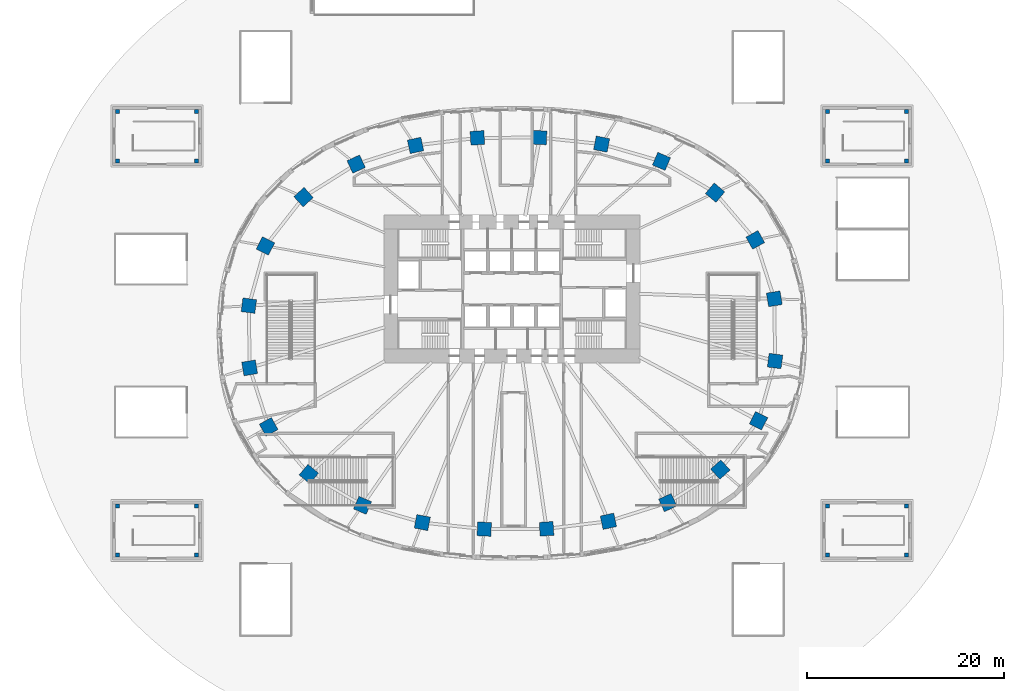
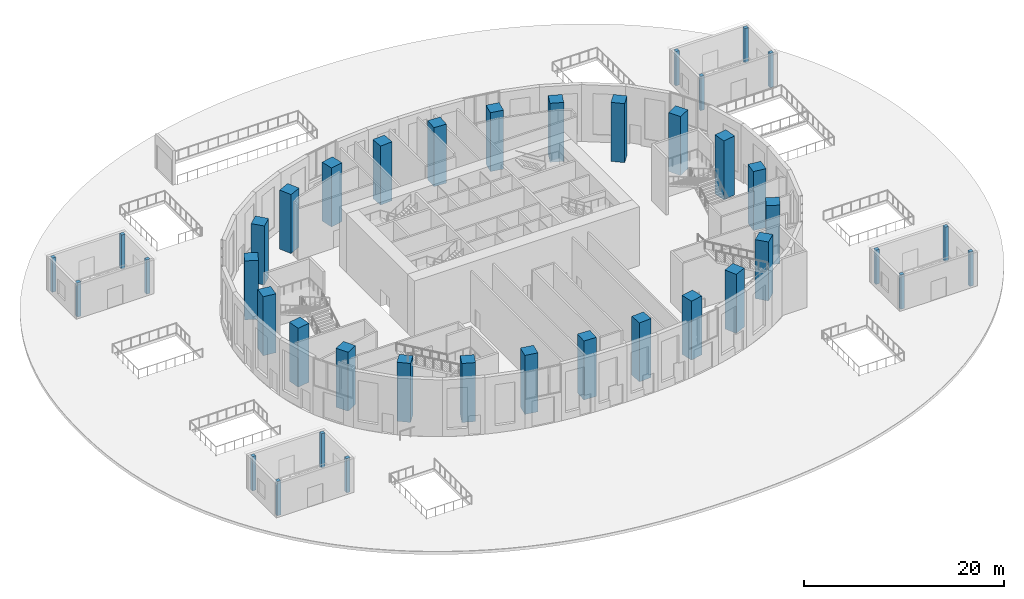
# One storey, part 1 of 27: 40 columns.
"""IFC4 building model written with IfcOpenShell, lengths in metres."""

import ifcopenshell
import ifcopenshell.guid

model = None  # the IFC model being written
_history = None  # IfcOwnerHistory: only IFC2X3 demands one
_inside = {}  # id of a spatial element -> (the spatial element, [elements in it])
_under = {}  # id of a project, library or spatial element -> (it, [spatial elements below it])
_declared = {}  # id of a project -> (the project, [libraries it declares])
_typed = {}  # id of a type object -> (the type object, [elements of that type])
_made_of = {}  # id of a material, layer set ... -> (it, [elements and type objects made of it])


def new_model(schema):
    """Start an empty IFC model of exactly this schema.

    Asked for "IFC4X3", IfcOpenShell would pick the latest addendum, in which some entities
    have other attributes; the version numbers below select the first issue.
    IFC2X3 requires an IfcOwnerHistory on every rooted entity: one is made here for all.
    """
    global model, _history
    if schema == "IFC4X3":
        model = ifcopenshell.file(schema_version=(4, 3, 0, 0))
    else:
        model = ifcopenshell.file(schema=schema)
    _inside.clear()
    _under.clear()
    _declared.clear()
    _typed.clear()
    _made_of.clear()
    _history = None
    if model.schema == "IFC2X3":
        org = make("IfcOrganization", Name="unknown")
        user = make(
            "IfcPersonAndOrganization",
            ThePerson=make("IfcPerson", FamilyName="unknown"),
            TheOrganization=org,
        )
        app = make(
            "IfcApplication",
            ApplicationDeveloper=org,
            Version="unknown",
            ApplicationFullName="unknown",
            ApplicationIdentifier="unknown",
        )
        _history = make(
            "IfcOwnerHistory",
            OwningUser=user,
            OwningApplication=app,
            ChangeAction="ADDED",
            CreationDate=0,
        )
    return model


def make(cls, **values):
    """One entity of the class cls with the attributes given. An attribute that is None is left unset."""
    return model.create_entity(
        cls, **{name: value for name, value in values.items() if value is not None}
    )


def rooted(cls, **values):
    """An entity with a GlobalId (a new one), such as an element, a storey or a relation."""
    return make(cls, GlobalId=ifcopenshell.guid.new(), OwnerHistory=_history, **values)


def si_unit(unit_type, name, prefix=None):
    """IfcSIUnit, for example si_unit("LENGTHUNIT", "METRE", prefix="MILLI")."""
    return make("IfcSIUnit", UnitType=unit_type, Prefix=prefix, Name=name)


def assignment(units):
    """IfcUnitAssignment: the units of a project."""
    return None if units is None else make("IfcUnitAssignment", Units=units)


def point(xyz):
    """IfcCartesianPoint."""
    return None if xyz is None else make("IfcCartesianPoint", Coordinates=xyz)


def direction(xyz):
    """IfcDirection."""
    return None if xyz is None else make("IfcDirection", DirectionRatios=xyz)


def frame(location, z_axis=None, x_axis=None):
    """IfcAxis2Placement3D, a coordinate frame: its origin and axes. An axis left out is left unset."""
    return make(
        "IfcAxis2Placement3D",
        Location=point(location),
        Axis=direction(z_axis),
        RefDirection=direction(x_axis),
    )


def frame_2d(location, x_axis=None):
    """IfcAxis2Placement2D, a coordinate frame in the plane: its origin and x axis."""
    return make(
        "IfcAxis2Placement2D", Location=point(location), RefDirection=direction(x_axis)
    )


def origin():
    """The frame at (0, 0, 0) with its axes left unset."""
    return frame((0.0, 0.0, 0.0))


def origin_2d():
    """The frame at (0, 0) in the plane with its x axis left unset."""
    return frame_2d((0.0, 0.0))


def place(relative_to, where):
    """IfcLocalPlacement: puts the frame where relative to a parent placement (None: the world)."""
    return make(
        "IfcLocalPlacement", PlacementRelTo=relative_to, RelativePlacement=where
    )


def context(
    kind, dimensions, precision=None, world=None, true_north=None, identifier=None
):
    """IfcGeometricRepresentationContext, for example the 3D "Model" context."""
    return make(
        "IfcGeometricRepresentationContext",
        ContextIdentifier=identifier,
        ContextType=kind,
        CoordinateSpaceDimension=dimensions,
        Precision=precision,
        WorldCoordinateSystem=world,
        TrueNorth=true_north,
    )


def subcontext(parent, identifier, kind, view, scale=None):
    """IfcGeometricRepresentationSubContext, for example "Body" below "Model"."""
    return make(
        "IfcGeometricRepresentationSubContext",
        ContextIdentifier=identifier,
        ContextType=kind,
        ParentContext=parent,
        TargetScale=scale,
        TargetView=view,
    )


def project(units=None, contexts=None):
    """IfcProject with its units and contexts."""
    return rooted(
        "IfcProject",
        Name="project",
        RepresentationContexts=contexts,
        UnitsInContext=assignment(units),
    )


def spatial(cls, under=None, at=None, **own):
    """A site, building, storey or space (cls), placed at a placement, below another one or the project."""
    s = rooted(cls, ObjectPlacement=at, **own)
    if under is not None:
        _under.setdefault(under.id(), (under, []))[1].append(s)
    return s


def profile(cls, at=None, kind="AREA", **sizes):
    """A parametric profile (cls). Its sizes go by their IFC names, for example OverallWidth=200.0."""
    return make(cls, ProfileType=kind, Position=at, **sizes)


def rectangle(**sizes):
    """IfcRectangleProfileDef."""
    return profile("IfcRectangleProfileDef", **sizes)


def extrude(swept, where, along, depth):
    """IfcExtrudedAreaSolid: the profile swept, set in the frame where, extruded along a direction by depth."""
    return make(
        "IfcExtrudedAreaSolid",
        SweptArea=swept,
        Position=where,
        ExtrudedDirection=direction(along),
        Depth=depth,
    )


def shape(context_of_items, identifier, shape_type, items):
    """IfcShapeRepresentation: the items that make up one representation, for example the "Body"."""
    return make(
        "IfcShapeRepresentation",
        ContextOfItems=context_of_items,
        RepresentationIdentifier=identifier,
        RepresentationType=shape_type,
        Items=items,
    )


def material(Name=None, Category=None):
    """IfcMaterial."""
    return make("IfcMaterial", Name=Name, Category=Category)


def material_profile(
    of_material, cross_section, Name=None, Category=None, Priority=None
):
    """IfcMaterialProfile: a cross section and its material."""
    return make(
        "IfcMaterialProfile",
        Name=Name,
        Material=of_material,
        Profile=cross_section,
        Priority=Priority,
        Category=Category,
    )


def profile_set(profiles, Name=None, composite=None):
    """IfcMaterialProfileSet."""
    return make(
        "IfcMaterialProfileSet",
        Name=Name,
        MaterialProfiles=profiles,
        CompositeProfile=composite,
    )


def made_of(thing, what):
    """Note that an element or type object is made of a material, layer set ...; save() writes the relation."""
    if what is not None:
        _made_of.setdefault(what.id(), (what, []))[1].append(thing)
    return thing


def type_object(cls, material=None, **own):
    """A type object (cls), such as IfcWallType, which elements share."""
    return made_of(rooted(cls, **own), material)


def element(
    cls,
    number,
    at=None,
    inside=None,
    cuts=None,
    type_object=None,
    material=None,
    context=None,
    identifier="Body",
    shape_type=None,
    held_by="IfcProductDefinitionShape",
    body=None,
    shapes=None,
    **own,
):
    """One element of the class cls, such as IfcWall. Its Tag is "e" and its number.

    at: its placement. inside: the storey or other place that contains it. cuts: it is an
    opening in that element (IfcRelVoidsElement). A single representation is given by context,
    identifier, shape_type and body (its items); several are given by shapes. held_by: the class
    of the entity that holds the representations. save() writes the other relations.
    """
    e = rooted(cls, Tag="e%d" % number, ObjectPlacement=at, **own)
    if body is not None:
        shapes = [shape(context, identifier, shape_type, body)]
    if shapes is not None:
        e.Representation = make(held_by, Representations=shapes)
    if inside is not None:
        _inside.setdefault(inside.id(), (inside, []))[1].append(e)
    if cuts is not None:
        rooted(
            "IfcRelVoidsElement", RelatingBuildingElement=cuts, RelatedOpeningElement=e
        )
    if type_object is not None:
        _typed.setdefault(type_object.id(), (type_object, []))[1].append(e)
    return made_of(e, material)


def aggregate(whole, parts):
    """IfcRelAggregates: a whole, such as a stair, and the parts it consists of."""
    return rooted("IfcRelAggregates", RelatingObject=whole, RelatedObjects=parts)


def save(model, path):
    """Write the relations noted so far, then the file.

    IfcRelAggregates (storeys below a building ...), IfcRelContainedInSpatialStructure (elements
    in a storey), IfcRelDefinesByType, IfcRelAssociatesMaterial and IfcRelDeclares: one each for
    every whole, place, type object, material and project.
    """
    for whole, parts in _under.values():
        aggregate(whole, parts)
    for where, things in _inside.values():
        rooted(
            "IfcRelContainedInSpatialStructure",
            RelatedElements=things,
            RelatingStructure=where,
        )
    for kind, things in _typed.values():
        rooted("IfcRelDefinesByType", RelatedObjects=things, RelatingType=kind)
    for what, things in _made_of.values():
        rooted("IfcRelAssociatesMaterial", RelatedObjects=things, RelatingMaterial=what)
    for by, libraries in _declared.values():
        rooted("IfcRelDeclares", RelatingContext=by, RelatedDefinitions=libraries)
    model.write(path)


model = new_model("IFC4")

# Units and contexts
model_context = context("Model", 3, precision=1e-05, world=origin(), true_north=direction((0.0, 1.0)))
body_context = subcontext(model_context, "Body", "Model", "MODEL_VIEW")
ifc_project = project(units=[si_unit("LENGTHUNIT", "METRE"), si_unit("AREAUNIT", "SQUARE_METRE"), si_unit("VOLUMEUNIT", "CUBIC_METRE"), si_unit("PLANEANGLEUNIT", "RADIAN"), si_unit("MASSUNIT", "GRAM", prefix="KILO")], contexts=[model_context])

# Site, building, storey
site_placement = place(None, origin())
site = spatial("IfcSite", under=ifc_project, at=site_placement, CompositionType="ELEMENT")
building_placement = place(site_placement, origin())
building = spatial("IfcBuilding", under=site, at=building_placement, Name="Rubra Terraces Tower", CompositionType="ELEMENT")
storey_placement = place(building_placement, origin())
storey = spatial("IfcBuildingStorey", under=building, at=storey_placement, Name="L00", CompositionType="ELEMENT", Elevation=0.0)

# Columns
ifc_material_1 = material(Name="Concrete C40/50", Category="concrete")
ifc_material_profile_1 = material_profile(ifc_material_1, rectangle(XDim=0.39990234375, YDim=0.39990234375, at=origin_2d()), Name="RC 400x400")
ifc_profile_set_1 = profile_set([ifc_material_profile_1], Name="Concrete C40/50")
column_type_1 = type_object("IfcColumnType", Name="Pavilion column RC 400 x 400", PredefinedType="COLUMN", material=ifc_profile_set_1)
for number, where, z_axis, x_axis, name in (
    (1, (32.0, 17.5, 0.0), (0.0, 0.0, 1.0), (1.0, 0.0, 0.0), "Pavilion SP1 column 1"),
    (2, (40.0, 17.5, 0.0), (0.0, 0.0, 1.0), (1.0, 0.0, 0.0), "Pavilion SP1 column 2"),
    (3, (40.0, 22.5, 0.0), (0.0, 0.0, 1.0), (1.0, 0.0, 0.0), "Pavilion SP1 column 3"),
    (4, (32.0, 22.5, 0.0), (0.0, 0.0, 1.0), (1.0, 0.0, 0.0), "Pavilion SP1 column 4"),
    (5, (-40.0, 17.5, 0.0), (0.0, 0.0, 1.0), (1.0, 0.0, 0.0), "Pavilion SP2 column 1"),
    (6, (-32.0, 17.5, 0.0), (0.0, 0.0, 1.0), (1.0, 0.0, 0.0), "Pavilion SP2 column 2"),
    (7, (-32.0, 22.5, 0.0), (0.0, 0.0, 1.0), (1.0, 0.0, 0.0), "Pavilion SP2 column 3"),
    (8, (-40.0, 22.5, 0.0), (0.0, 0.0, 1.0), (1.0, 0.0, 0.0), "Pavilion SP2 column 4"),
    (9, (-40.0, -22.5, 0.0), (0.0, 0.0, 1.0), (1.0, 0.0, 0.0), "Pavilion SP3 column 1"),
    (10, (-32.0, -22.5, 0.0), (0.0, 0.0, 1.0), (1.0, 0.0, 0.0), "Pavilion SP3 column 2"),
    (11, (-32.0, -17.5, 0.0), (0.0, 0.0, 1.0), (1.0, 0.0, 0.0), "Pavilion SP3 column 3"),
    (12, (-40.0, -17.5, 0.0), (0.0, 0.0, 1.0), (1.0, 0.0, 0.0), "Pavilion SP3 column 4"),
    (13, (32.0, -22.5, 0.0), (0.0, 0.0, 1.0), (1.0, 0.0, 0.0), "Pavilion SP4 column 1"),
    (14, (40.0, -22.5, 0.0), (0.0, 0.0, 1.0), (1.0, 0.0, 0.0), "Pavilion SP4 column 2"),
    (15, (40.0, -17.5, 0.0), (0.0, 0.0, 1.0), (1.0, 0.0, 0.0), "Pavilion SP4 column 3"),
    (16, (32.0, -17.5, 0.0), (0.0, 0.0, 1.0), (1.0, 0.0, 0.0), "Pavilion SP4 column 4"),
):
    element("IfcColumn", number, at=place(storey_placement, frame(where, z_axis=z_axis, x_axis=x_axis)), inside=storey, type_object=column_type_1, Name=name, PredefinedType="COLUMN", context=body_context, shape_type="SweptSolid", body=[
        extrude(rectangle(XDim=0.39990234375, YDim=0.39990234375, at=origin_2d()), origin(), (0.0, 0.0, 1.0), 4.199951171875),
    ])
ifc_material_2 = material(Name="Concrete C60", Category="concrete")
ifc_material_profile_2 = material_profile(ifc_material_2, rectangle(XDim=1.39990234375, YDim=1.39990234375, at=origin_2d()), Name="RC 1400x1400")
ifc_profile_set_2 = profile_set([ifc_material_profile_2], Name="Concrete C60")
column_type_2 = type_object("IfcColumnType", Name="RING COLUMN RC 1400x1400 C60", PredefinedType="COLUMN", material=ifc_profile_set_2)
for number, where, z_axis, x_axis, name in (
    (17, (26.60498046875, 3.5029296875, 0.0), (0.0, 0.0, 1.0), (-0.161234051287, 0.986916197408, 0.0), "column-L00-ring-01"),
    (18, (24.676025390625, 9.48291015625, 0.0), (0.0, 0.0, 1.0), (-0.487226597714, 0.873275582208, 0.0), "column-L00-ring-02"),
    (19, (20.60009765625, 14.26611328125, 0.0), (0.0, 0.0, 1.0), (-0.767209547574, 0.641396531104, 0.0), "column-L00-ring-03"),
    (20, (15.156982421875, 17.44091796875, 0.0), (0.0, 0.0, 1.0), (-0.919293738002, 0.393572132232, 0.0), "column-L00-ring-04"),
    (21, (9.093994140625, 19.19189453125, 0.0), (0.0, 0.0, 1.0), (-0.981430410798, 0.191818530806, 0.0), "column-L00-ring-05"),
    (22, (2.81103515625, 19.85400390625, 0.0), (0.0, 0.0, 1.0), (-0.99874501614, 0.050083857035, 0.0), "column-L00-ring-06"),
    (23, (-3.509033203125, 19.823974609375, 0.0), (0.0, 0.0, 1.0), (-0.9980076013, -0.063093801177, 0.0), "column-L00-ring-07"),
    (24, (-9.780029296875, 19.05810546875, 0.0), (0.0, 0.0, 1.0), (-0.977386186482, -0.211462153764, 0.0), "column-L00-ring-08"),
    (25, (-15.799072265625, 17.1650390625, 0.0), (0.0, 0.0, 1.0), (-0.907952363445, -0.419073389413, 0.0), "column-L00-ring-09"),
    (26, (-21.135009765625, 13.81689453125, 0.0), (0.0, 0.0, 1.0), (-0.742675944539, -0.66965098477, 0.0), "column-L00-ring-10"),
    (27, (-25.0029296875, 8.865966796875, 0.0), (0.0, 0.0, 1.0), (-0.450098906028, -0.892978709036, 0.0), "column-L00-ring-11"),
    (28, (-26.68408203125, 2.80810546875, 0.0), (0.0, 0.0, 1.0), (-0.128444510405, -0.991716697322, 0.0), "column-L00-ring-12"),
    (29, (-26.60498046875, -3.5029296875, 0.0), (0.0, 0.0, 1.0), (0.161234051287, -0.986916197408, 0.0), "column-L00-ring-13"),
    (30, (-24.676025390625, -9.48291015625, 0.0), (0.0, 0.0, 1.0), (0.487226597714, -0.873275582208, 0.0), "column-L00-ring-14"),
    (31, (-20.60009765625, -14.26611328125, 0.0), (0.0, 0.0, 1.0), (0.767209547574, -0.641396531104, 0.0), "column-L00-ring-15"),
    (32, (-15.156982421875, -17.44091796875, 0.0), (0.0, 0.0, 1.0), (0.919293738002, -0.393572132232, 0.0), "column-L00-ring-16"),
    (33, (-9.093994140625, -19.19189453125, 0.0), (0.0, 0.0, 1.0), (0.981430410798, -0.191818530806, 0.0), "column-L00-ring-17"),
    (34, (-2.81103515625, -19.85400390625, 0.0), (0.0, 0.0, 1.0), (0.99874501614, -0.050083857035, 0.0), "column-L00-ring-18"),
    (35, (3.509033203125, -19.823974609375, 0.0), (0.0, 0.0, 1.0), (0.9980076013, 0.063093801177, 0.0), "column-L00-ring-19"),
    (36, (9.780029296875, -19.05810546875, 0.0), (0.0, 0.0, 1.0), (0.977386186482, 0.211462153764, 0.0), "column-L00-ring-20"),
    (37, (15.799072265625, -17.1650390625, 0.0), (0.0, 0.0, 1.0), (0.907952363445, 0.419073389413, 0.0), "column-L00-ring-21"),
    (38, (21.135009765625, -13.81689453125, 0.0), (0.0, 0.0, 1.0), (0.742675944539, 0.66965098477, 0.0), "column-L00-ring-22"),
    (39, (25.0029296875, -8.865966796875, 0.0), (0.0, 0.0, 1.0), (0.450098906028, 0.892978709036, 0.0), "column-L00-ring-23"),
    (40, (26.68408203125, -2.80810546875, 0.0), (0.0, 0.0, 1.0), (0.128444510405, 0.991716697322, 0.0), "column-L00-ring-24"),
):
    element("IfcColumn", number, at=place(storey_placement, frame(where, z_axis=z_axis, x_axis=x_axis)), inside=storey, type_object=column_type_2, Name=name, PredefinedType="COLUMN", context=body_context, shape_type="SweptSolid", body=[
        extrude(rectangle(XDim=1.39990234375, YDim=1.39990234375, at=origin_2d()), origin(), (0.0, 0.0, 1.0), 7.199951171875),
    ])

save(model, "model.ifc")
